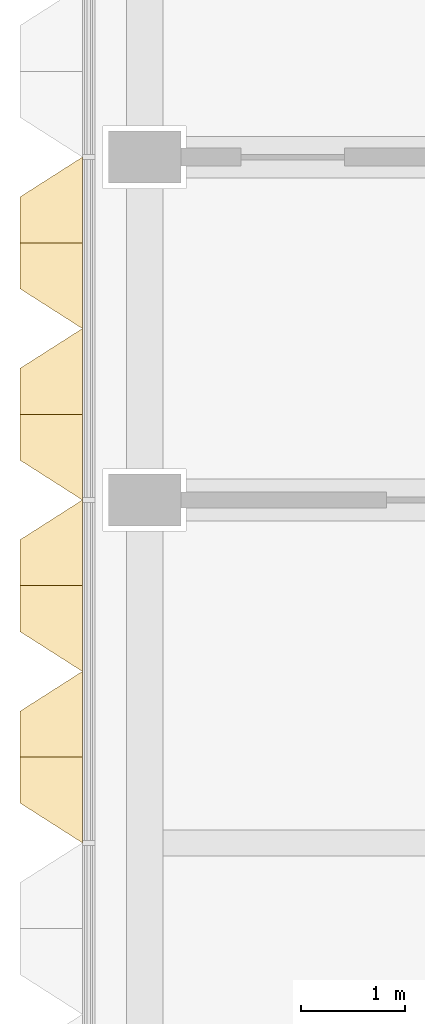
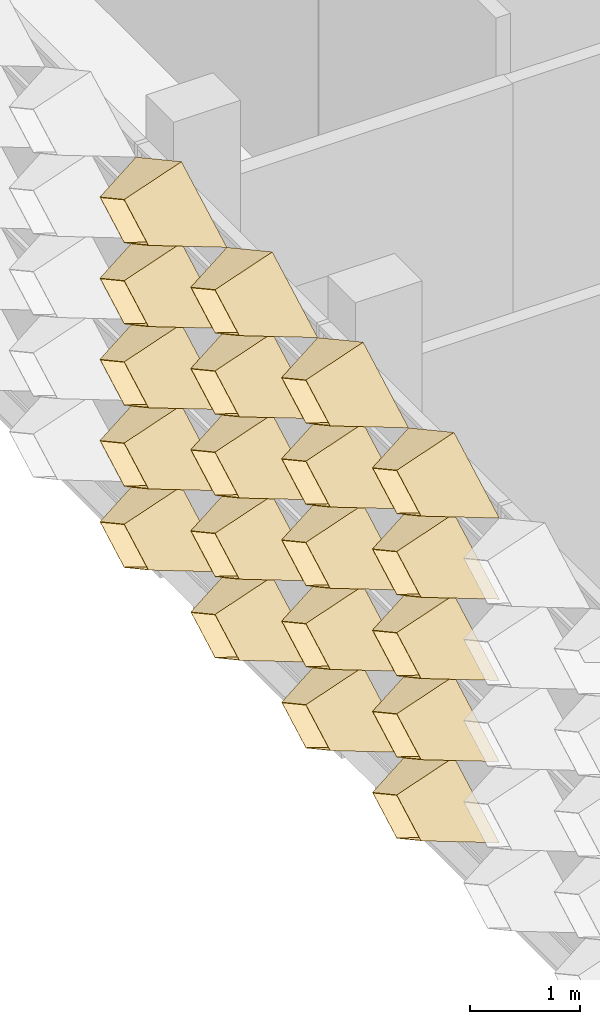
# One storey, part 20 of 29: 20 coverings.
"""IFC4 building model written with IfcOpenShell, lengths in metres."""

from ifc_helpers import new_model, entity, si_unit, direction, frame, origin, place, context, subcontext, project, spatial, material, layer, layer_set, type_object, element, save


model = new_model("IFC4")

# Units and contexts
model_context = context("Model", 3, precision=1e-05, world=origin(), true_north=direction((0.0, 1.0)))
body_context = subcontext(model_context, "Body", "Model", "MODEL_VIEW")
ifc_project = project(units=[si_unit("LENGTHUNIT", "METRE"), si_unit("AREAUNIT", "SQUARE_METRE"), si_unit("VOLUMEUNIT", "CUBIC_METRE"), si_unit("PLANEANGLEUNIT", "RADIAN"), si_unit("MASSUNIT", "GRAM", prefix="KILO")], contexts=[model_context])

# Site, building, storey
site_placement = place(None, origin())
site = spatial("IfcSite", under=ifc_project, at=site_placement, CompositionType="ELEMENT")
building_placement = place(site_placement, origin())
building = spatial("IfcBuilding", under=site, at=building_placement, Name="Lantern Court Research Institute", CompositionType="ELEMENT")
storey_placement = place(building_placement, frame((0.0, 0.0, 32.39990234375)))
storey = spatial("IfcBuildingStorey", under=building, at=storey_placement, Name="L07", CompositionType="ELEMENT", Elevation=32.39990234375)

# Coverings
ifc_material = material(Name="Anodised aluminium", Category="aluminium")
ifc_layer = layer(ifc_material, 0.01611328125)
ifc_layer_set = layer_set([ifc_layer], Name="Anodised aluminium")
covering_type = type_object("IfcCoveringType", Name="Fin cassette 1650 x 900 x 600 aluminium", PredefinedType="CLADDING", material=ifc_layer_set)
covering_1_placement = place(storey_placement, frame((52.199951171875, 7.425048828125, 0.4501953125), z_axis=(-1.0, 0.0, 0.0), x_axis=(0.0, -1.0, 0.0)))
cartesian_point_1 = entity("IfcCartesianPoint", [0.824951171875, 0.0])
cartesian_point_2 = entity("IfcCartesianPoint", [0.79150390625, 0.0])
cartesian_point_3 = entity("IfcCartesianPoint", [0.44189453125, 0.0])
cartesian_point_4 = entity("IfcCartesianPoint", [0.43359375, 0.0])
element("IfcCovering", 1, at=covering_1_placement, inside=storey, type_object=covering_type, Name="Fin cassette V5W-L07 1.5", PredefinedType="CLADDING", context=body_context, shape_type="SweptSolid", body=[
    entity("IfcExtrudedAreaSolidTapered", entity("IfcArbitraryProfileDefWithVoids", "AREA", None, entity("IfcPolyline", [cartesian_point_1, entity("IfcCartesianPoint", [0.0, 0.449951171875]), entity("IfcCartesianPoint", [-0.824951171875, 0.0]), entity("IfcCartesianPoint", [0.0, -0.449951171875]), cartesian_point_1]), [entity("IfcPolyline", [cartesian_point_2, entity("IfcCartesianPoint", [0.0, 0.431884765625]), entity("IfcCartesianPoint", [-0.79150390625, 0.0]), entity("IfcCartesianPoint", [0.0, -0.431884765625]), cartesian_point_2])]), entity("IfcAxis2Placement3D", entity("IfcCartesianPoint", [0.0, 0.0, 0.0])), entity("IfcDirection", [0.0, 0.0, 1.0]), 0.60009765625, entity("IfcArbitraryProfileDefWithVoids", "AREA", None, entity("IfcPolyline", [cartesian_point_3, entity("IfcCartesianPoint", [0.0, 0.240966796875]), entity("IfcCartesianPoint", [-0.44189453125, 0.0]), entity("IfcCartesianPoint", [0.0, -0.240966796875]), cartesian_point_3]), [entity("IfcPolyline", [cartesian_point_4, entity("IfcCartesianPoint", [0.0, 0.236572265625]), entity("IfcCartesianPoint", [-0.43359375, 0.0]), entity("IfcCartesianPoint", [0.0, -0.236572265625]), cartesian_point_4])])),
])
covering_2_placement = place(storey_placement, frame((52.199951171875, 9.074951171875, 0.4501953125), z_axis=(-1.0, 0.0, 0.0), x_axis=(0.0, -1.0, 0.0)))
cartesian_point_5 = entity("IfcCartesianPoint", [0.824951171875, 0.0])
cartesian_point_6 = entity("IfcCartesianPoint", [0.79150390625, 0.0])
cartesian_point_7 = entity("IfcCartesianPoint", [0.44189453125, 0.0])
cartesian_point_8 = entity("IfcCartesianPoint", [0.43359375, 0.0])
element("IfcCovering", 2, at=covering_2_placement, inside=storey, type_object=covering_type, Name="Fin cassette V5W-L07 1.6", PredefinedType="CLADDING", context=body_context, shape_type="SweptSolid", body=[
    entity("IfcExtrudedAreaSolidTapered", entity("IfcArbitraryProfileDefWithVoids", "AREA", None, entity("IfcPolyline", [cartesian_point_5, entity("IfcCartesianPoint", [0.0, 0.449951171875]), entity("IfcCartesianPoint", [-0.824951171875, 0.0]), entity("IfcCartesianPoint", [0.0, -0.449951171875]), cartesian_point_5]), [entity("IfcPolyline", [cartesian_point_6, entity("IfcCartesianPoint", [0.0, 0.431884765625]), entity("IfcCartesianPoint", [-0.79150390625, 0.0]), entity("IfcCartesianPoint", [0.0, -0.431884765625]), cartesian_point_6])]), entity("IfcAxis2Placement3D", entity("IfcCartesianPoint", [0.0, 0.0, 0.0])), entity("IfcDirection", [0.0, 0.0, 1.0]), 0.60009765625, entity("IfcArbitraryProfileDefWithVoids", "AREA", None, entity("IfcPolyline", [cartesian_point_7, entity("IfcCartesianPoint", [0.0, 0.240966796875]), entity("IfcCartesianPoint", [-0.44189453125, 0.0]), entity("IfcCartesianPoint", [0.0, -0.240966796875]), cartesian_point_7]), [entity("IfcPolyline", [cartesian_point_8, entity("IfcCartesianPoint", [0.0, 0.236572265625]), entity("IfcCartesianPoint", [-0.43359375, 0.0]), entity("IfcCartesianPoint", [0.0, -0.236572265625]), cartesian_point_8])])),
])
covering_3_placement = place(storey_placement, frame((52.199951171875, 10.72509765625, 0.4501953125), z_axis=(-1.0, 0.0, 0.0), x_axis=(0.0, -1.0, 0.0)))
cartesian_point_9 = entity("IfcCartesianPoint", [0.824951171875, 0.0])
cartesian_point_10 = entity("IfcCartesianPoint", [0.79150390625, 0.0])
cartesian_point_11 = entity("IfcCartesianPoint", [0.44189453125, 0.0])
cartesian_point_12 = entity("IfcCartesianPoint", [0.43359375, 0.0])
element("IfcCovering", 3, at=covering_3_placement, inside=storey, type_object=covering_type, Name="Fin cassette V5W-L07 1.7", PredefinedType="CLADDING", context=body_context, shape_type="SweptSolid", body=[
    entity("IfcExtrudedAreaSolidTapered", entity("IfcArbitraryProfileDefWithVoids", "AREA", None, entity("IfcPolyline", [cartesian_point_9, entity("IfcCartesianPoint", [0.0, 0.449951171875]), entity("IfcCartesianPoint", [-0.824951171875, 0.0]), entity("IfcCartesianPoint", [0.0, -0.449951171875]), cartesian_point_9]), [entity("IfcPolyline", [cartesian_point_10, entity("IfcCartesianPoint", [0.0, 0.431884765625]), entity("IfcCartesianPoint", [-0.79150390625, 0.0]), entity("IfcCartesianPoint", [0.0, -0.431884765625]), cartesian_point_10])]), entity("IfcAxis2Placement3D", entity("IfcCartesianPoint", [0.0, 0.0, 0.0])), entity("IfcDirection", [0.0, 0.0, 1.0]), 0.60009765625, entity("IfcArbitraryProfileDefWithVoids", "AREA", None, entity("IfcPolyline", [cartesian_point_11, entity("IfcCartesianPoint", [0.0, 0.240966796875]), entity("IfcCartesianPoint", [-0.44189453125, 0.0]), entity("IfcCartesianPoint", [0.0, -0.240966796875]), cartesian_point_11]), [entity("IfcPolyline", [cartesian_point_12, entity("IfcCartesianPoint", [0.0, 0.236572265625]), entity("IfcCartesianPoint", [-0.43359375, 0.0]), entity("IfcCartesianPoint", [0.0, -0.236572265625]), cartesian_point_12])])),
])
covering_4_placement = place(storey_placement, frame((52.199951171875, 12.375, 0.4501953125), z_axis=(-1.0, 0.0, 0.0), x_axis=(0.0, -1.0, 0.0)))
cartesian_point_13 = entity("IfcCartesianPoint", [0.824951171875, 0.0])
cartesian_point_14 = entity("IfcCartesianPoint", [0.79150390625, 0.0])
cartesian_point_15 = entity("IfcCartesianPoint", [0.44189453125, 0.0])
cartesian_point_16 = entity("IfcCartesianPoint", [0.43359375, 0.0])
element("IfcCovering", 4, at=covering_4_placement, inside=storey, type_object=covering_type, Name="Fin cassette V5W-L07 1.8", PredefinedType="CLADDING", context=body_context, shape_type="SweptSolid", body=[
    entity("IfcExtrudedAreaSolidTapered", entity("IfcArbitraryProfileDefWithVoids", "AREA", None, entity("IfcPolyline", [cartesian_point_13, entity("IfcCartesianPoint", [0.0, 0.449951171875]), entity("IfcCartesianPoint", [-0.824951171875, 0.0]), entity("IfcCartesianPoint", [0.0, -0.449951171875]), cartesian_point_13]), [entity("IfcPolyline", [cartesian_point_14, entity("IfcCartesianPoint", [0.0, 0.431884765625]), entity("IfcCartesianPoint", [-0.79150390625, 0.0]), entity("IfcCartesianPoint", [0.0, -0.431884765625]), cartesian_point_14])]), entity("IfcAxis2Placement3D", entity("IfcCartesianPoint", [0.0, 0.0, 0.0])), entity("IfcDirection", [0.0, 0.0, 1.0]), 0.60009765625, entity("IfcArbitraryProfileDefWithVoids", "AREA", None, entity("IfcPolyline", [cartesian_point_15, entity("IfcCartesianPoint", [0.0, 0.240966796875]), entity("IfcCartesianPoint", [-0.44189453125, 0.0]), entity("IfcCartesianPoint", [0.0, -0.240966796875]), cartesian_point_15]), [entity("IfcPolyline", [cartesian_point_16, entity("IfcCartesianPoint", [0.0, 0.236572265625]), entity("IfcCartesianPoint", [-0.43359375, 0.0]), entity("IfcCartesianPoint", [0.0, -0.236572265625]), cartesian_point_16])])),
])
covering_5_placement = place(storey_placement, frame((52.199951171875, 7.425048828125, 1.35009765625), z_axis=(-1.0, 0.0, 0.0), x_axis=(0.0, -1.0, 0.0)))
cartesian_point_17 = entity("IfcCartesianPoint", [0.824951171875, 0.0])
cartesian_point_18 = entity("IfcCartesianPoint", [0.79150390625, 0.0])
cartesian_point_19 = entity("IfcCartesianPoint", [0.44189453125, 0.0])
cartesian_point_20 = entity("IfcCartesianPoint", [0.43359375, 0.0])
element("IfcCovering", 5, at=covering_5_placement, inside=storey, type_object=covering_type, Name="Fin cassette V5W-L07 2.5", PredefinedType="CLADDING", context=body_context, shape_type="SweptSolid", body=[
    entity("IfcExtrudedAreaSolidTapered", entity("IfcArbitraryProfileDefWithVoids", "AREA", None, entity("IfcPolyline", [cartesian_point_17, entity("IfcCartesianPoint", [0.0, 0.449951171875]), entity("IfcCartesianPoint", [-0.824951171875, 0.0]), entity("IfcCartesianPoint", [0.0, -0.449951171875]), cartesian_point_17]), [entity("IfcPolyline", [cartesian_point_18, entity("IfcCartesianPoint", [0.0, 0.431884765625]), entity("IfcCartesianPoint", [-0.79150390625, 0.0]), entity("IfcCartesianPoint", [0.0, -0.431884765625]), cartesian_point_18])]), entity("IfcAxis2Placement3D", entity("IfcCartesianPoint", [0.0, 0.0, 0.0])), entity("IfcDirection", [0.0, 0.0, 1.0]), 0.60009765625, entity("IfcArbitraryProfileDefWithVoids", "AREA", None, entity("IfcPolyline", [cartesian_point_19, entity("IfcCartesianPoint", [0.0, 0.240966796875]), entity("IfcCartesianPoint", [-0.44189453125, 0.0]), entity("IfcCartesianPoint", [0.0, -0.240966796875]), cartesian_point_19]), [entity("IfcPolyline", [cartesian_point_20, entity("IfcCartesianPoint", [0.0, 0.236572265625]), entity("IfcCartesianPoint", [-0.43359375, 0.0]), entity("IfcCartesianPoint", [0.0, -0.236572265625]), cartesian_point_20])])),
])
covering_6_placement = place(storey_placement, frame((52.199951171875, 9.074951171875, 1.35009765625), z_axis=(-1.0, 0.0, 0.0), x_axis=(0.0, -1.0, 0.0)))
cartesian_point_21 = entity("IfcCartesianPoint", [0.824951171875, 0.0])
cartesian_point_22 = entity("IfcCartesianPoint", [0.79150390625, 0.0])
cartesian_point_23 = entity("IfcCartesianPoint", [0.44189453125, 0.0])
cartesian_point_24 = entity("IfcCartesianPoint", [0.43359375, 0.0])
element("IfcCovering", 6, at=covering_6_placement, inside=storey, type_object=covering_type, Name="Fin cassette V5W-L07 2.6", PredefinedType="CLADDING", context=body_context, shape_type="SweptSolid", body=[
    entity("IfcExtrudedAreaSolidTapered", entity("IfcArbitraryProfileDefWithVoids", "AREA", None, entity("IfcPolyline", [cartesian_point_21, entity("IfcCartesianPoint", [0.0, 0.449951171875]), entity("IfcCartesianPoint", [-0.824951171875, 0.0]), entity("IfcCartesianPoint", [0.0, -0.449951171875]), cartesian_point_21]), [entity("IfcPolyline", [cartesian_point_22, entity("IfcCartesianPoint", [0.0, 0.431884765625]), entity("IfcCartesianPoint", [-0.79150390625, 0.0]), entity("IfcCartesianPoint", [0.0, -0.431884765625]), cartesian_point_22])]), entity("IfcAxis2Placement3D", entity("IfcCartesianPoint", [0.0, 0.0, 0.0])), entity("IfcDirection", [0.0, 0.0, 1.0]), 0.60009765625, entity("IfcArbitraryProfileDefWithVoids", "AREA", None, entity("IfcPolyline", [cartesian_point_23, entity("IfcCartesianPoint", [0.0, 0.240966796875]), entity("IfcCartesianPoint", [-0.44189453125, 0.0]), entity("IfcCartesianPoint", [0.0, -0.240966796875]), cartesian_point_23]), [entity("IfcPolyline", [cartesian_point_24, entity("IfcCartesianPoint", [0.0, 0.236572265625]), entity("IfcCartesianPoint", [-0.43359375, 0.0]), entity("IfcCartesianPoint", [0.0, -0.236572265625]), cartesian_point_24])])),
])
covering_7_placement = place(storey_placement, frame((52.199951171875, 10.72509765625, 1.35009765625), z_axis=(-1.0, 0.0, 0.0), x_axis=(0.0, -1.0, 0.0)))
cartesian_point_25 = entity("IfcCartesianPoint", [0.824951171875, 0.0])
cartesian_point_26 = entity("IfcCartesianPoint", [0.79150390625, 0.0])
cartesian_point_27 = entity("IfcCartesianPoint", [0.44189453125, 0.0])
cartesian_point_28 = entity("IfcCartesianPoint", [0.43359375, 0.0])
element("IfcCovering", 7, at=covering_7_placement, inside=storey, type_object=covering_type, Name="Fin cassette V5W-L07 2.7", PredefinedType="CLADDING", context=body_context, shape_type="SweptSolid", body=[
    entity("IfcExtrudedAreaSolidTapered", entity("IfcArbitraryProfileDefWithVoids", "AREA", None, entity("IfcPolyline", [cartesian_point_25, entity("IfcCartesianPoint", [0.0, 0.449951171875]), entity("IfcCartesianPoint", [-0.824951171875, 0.0]), entity("IfcCartesianPoint", [0.0, -0.449951171875]), cartesian_point_25]), [entity("IfcPolyline", [cartesian_point_26, entity("IfcCartesianPoint", [0.0, 0.431884765625]), entity("IfcCartesianPoint", [-0.79150390625, 0.0]), entity("IfcCartesianPoint", [0.0, -0.431884765625]), cartesian_point_26])]), entity("IfcAxis2Placement3D", entity("IfcCartesianPoint", [0.0, 0.0, 0.0])), entity("IfcDirection", [0.0, 0.0, 1.0]), 0.60009765625, entity("IfcArbitraryProfileDefWithVoids", "AREA", None, entity("IfcPolyline", [cartesian_point_27, entity("IfcCartesianPoint", [0.0, 0.240966796875]), entity("IfcCartesianPoint", [-0.44189453125, 0.0]), entity("IfcCartesianPoint", [0.0, -0.240966796875]), cartesian_point_27]), [entity("IfcPolyline", [cartesian_point_28, entity("IfcCartesianPoint", [0.0, 0.236572265625]), entity("IfcCartesianPoint", [-0.43359375, 0.0]), entity("IfcCartesianPoint", [0.0, -0.236572265625]), cartesian_point_28])])),
])
covering_8_placement = place(storey_placement, frame((52.199951171875, 12.375, 1.35009765625), z_axis=(-1.0, 0.0, 0.0), x_axis=(0.0, -1.0, 0.0)))
cartesian_point_29 = entity("IfcCartesianPoint", [0.824951171875, 0.0])
cartesian_point_30 = entity("IfcCartesianPoint", [0.79150390625, 0.0])
cartesian_point_31 = entity("IfcCartesianPoint", [0.44189453125, 0.0])
cartesian_point_32 = entity("IfcCartesianPoint", [0.43359375, 0.0])
element("IfcCovering", 8, at=covering_8_placement, inside=storey, type_object=covering_type, Name="Fin cassette V5W-L07 2.8", PredefinedType="CLADDING", context=body_context, shape_type="SweptSolid", body=[
    entity("IfcExtrudedAreaSolidTapered", entity("IfcArbitraryProfileDefWithVoids", "AREA", None, entity("IfcPolyline", [cartesian_point_29, entity("IfcCartesianPoint", [0.0, 0.449951171875]), entity("IfcCartesianPoint", [-0.824951171875, 0.0]), entity("IfcCartesianPoint", [0.0, -0.449951171875]), cartesian_point_29]), [entity("IfcPolyline", [cartesian_point_30, entity("IfcCartesianPoint", [0.0, 0.431884765625]), entity("IfcCartesianPoint", [-0.79150390625, 0.0]), entity("IfcCartesianPoint", [0.0, -0.431884765625]), cartesian_point_30])]), entity("IfcAxis2Placement3D", entity("IfcCartesianPoint", [0.0, 0.0, 0.0])), entity("IfcDirection", [0.0, 0.0, 1.0]), 0.60009765625, entity("IfcArbitraryProfileDefWithVoids", "AREA", None, entity("IfcPolyline", [cartesian_point_31, entity("IfcCartesianPoint", [0.0, 0.240966796875]), entity("IfcCartesianPoint", [-0.44189453125, 0.0]), entity("IfcCartesianPoint", [0.0, -0.240966796875]), cartesian_point_31]), [entity("IfcPolyline", [cartesian_point_32, entity("IfcCartesianPoint", [0.0, 0.236572265625]), entity("IfcCartesianPoint", [-0.43359375, 0.0]), entity("IfcCartesianPoint", [0.0, -0.236572265625]), cartesian_point_32])])),
])
covering_9_placement = place(storey_placement, frame((52.199951171875, 7.425048828125, 2.25), z_axis=(-1.0, 0.0, 0.0), x_axis=(0.0, -1.0, 0.0)))
cartesian_point_33 = entity("IfcCartesianPoint", [0.824951171875, 0.0])
cartesian_point_34 = entity("IfcCartesianPoint", [0.79150390625, 0.0])
cartesian_point_35 = entity("IfcCartesianPoint", [0.44189453125, 0.0])
cartesian_point_36 = entity("IfcCartesianPoint", [0.43359375, 0.0])
element("IfcCovering", 9, at=covering_9_placement, inside=storey, type_object=covering_type, Name="Fin cassette V5W-L07 3.5", PredefinedType="CLADDING", context=body_context, shape_type="SweptSolid", body=[
    entity("IfcExtrudedAreaSolidTapered", entity("IfcArbitraryProfileDefWithVoids", "AREA", None, entity("IfcPolyline", [cartesian_point_33, entity("IfcCartesianPoint", [0.0, 0.449951171875]), entity("IfcCartesianPoint", [-0.824951171875, 0.0]), entity("IfcCartesianPoint", [0.0, -0.449951171875]), cartesian_point_33]), [entity("IfcPolyline", [cartesian_point_34, entity("IfcCartesianPoint", [0.0, 0.431884765625]), entity("IfcCartesianPoint", [-0.79150390625, 0.0]), entity("IfcCartesianPoint", [0.0, -0.431884765625]), cartesian_point_34])]), entity("IfcAxis2Placement3D", entity("IfcCartesianPoint", [0.0, 0.0, 0.0])), entity("IfcDirection", [0.0, 0.0, 1.0]), 0.60009765625, entity("IfcArbitraryProfileDefWithVoids", "AREA", None, entity("IfcPolyline", [cartesian_point_35, entity("IfcCartesianPoint", [0.0, 0.240966796875]), entity("IfcCartesianPoint", [-0.44189453125, 0.0]), entity("IfcCartesianPoint", [0.0, -0.240966796875]), cartesian_point_35]), [entity("IfcPolyline", [cartesian_point_36, entity("IfcCartesianPoint", [0.0, 0.236572265625]), entity("IfcCartesianPoint", [-0.43359375, 0.0]), entity("IfcCartesianPoint", [0.0, -0.236572265625]), cartesian_point_36])])),
])
covering_10_placement = place(storey_placement, frame((52.199951171875, 9.074951171875, 2.25), z_axis=(-1.0, 0.0, 0.0), x_axis=(0.0, -1.0, 0.0)))
cartesian_point_37 = entity("IfcCartesianPoint", [0.824951171875, 0.0])
cartesian_point_38 = entity("IfcCartesianPoint", [0.79150390625, 0.0])
cartesian_point_39 = entity("IfcCartesianPoint", [0.44189453125, 0.0])
cartesian_point_40 = entity("IfcCartesianPoint", [0.43359375, 0.0])
element("IfcCovering", 10, at=covering_10_placement, inside=storey, type_object=covering_type, Name="Fin cassette V5W-L07 3.6", PredefinedType="CLADDING", context=body_context, shape_type="SweptSolid", body=[
    entity("IfcExtrudedAreaSolidTapered", entity("IfcArbitraryProfileDefWithVoids", "AREA", None, entity("IfcPolyline", [cartesian_point_37, entity("IfcCartesianPoint", [0.0, 0.449951171875]), entity("IfcCartesianPoint", [-0.824951171875, 0.0]), entity("IfcCartesianPoint", [0.0, -0.449951171875]), cartesian_point_37]), [entity("IfcPolyline", [cartesian_point_38, entity("IfcCartesianPoint", [0.0, 0.431884765625]), entity("IfcCartesianPoint", [-0.79150390625, 0.0]), entity("IfcCartesianPoint", [0.0, -0.431884765625]), cartesian_point_38])]), entity("IfcAxis2Placement3D", entity("IfcCartesianPoint", [0.0, 0.0, 0.0])), entity("IfcDirection", [0.0, 0.0, 1.0]), 0.60009765625, entity("IfcArbitraryProfileDefWithVoids", "AREA", None, entity("IfcPolyline", [cartesian_point_39, entity("IfcCartesianPoint", [0.0, 0.240966796875]), entity("IfcCartesianPoint", [-0.44189453125, 0.0]), entity("IfcCartesianPoint", [0.0, -0.240966796875]), cartesian_point_39]), [entity("IfcPolyline", [cartesian_point_40, entity("IfcCartesianPoint", [0.0, 0.236572265625]), entity("IfcCartesianPoint", [-0.43359375, 0.0]), entity("IfcCartesianPoint", [0.0, -0.236572265625]), cartesian_point_40])])),
])
covering_11_placement = place(storey_placement, frame((52.199951171875, 10.72509765625, 2.25), z_axis=(-1.0, 0.0, 0.0), x_axis=(0.0, -1.0, 0.0)))
cartesian_point_41 = entity("IfcCartesianPoint", [0.824951171875, 0.0])
cartesian_point_42 = entity("IfcCartesianPoint", [0.79150390625, 0.0])
cartesian_point_43 = entity("IfcCartesianPoint", [0.44189453125, 0.0])
cartesian_point_44 = entity("IfcCartesianPoint", [0.43359375, 0.0])
element("IfcCovering", 11, at=covering_11_placement, inside=storey, type_object=covering_type, Name="Fin cassette V5W-L07 3.7", PredefinedType="CLADDING", context=body_context, shape_type="SweptSolid", body=[
    entity("IfcExtrudedAreaSolidTapered", entity("IfcArbitraryProfileDefWithVoids", "AREA", None, entity("IfcPolyline", [cartesian_point_41, entity("IfcCartesianPoint", [0.0, 0.449951171875]), entity("IfcCartesianPoint", [-0.824951171875, 0.0]), entity("IfcCartesianPoint", [0.0, -0.449951171875]), cartesian_point_41]), [entity("IfcPolyline", [cartesian_point_42, entity("IfcCartesianPoint", [0.0, 0.431884765625]), entity("IfcCartesianPoint", [-0.79150390625, 0.0]), entity("IfcCartesianPoint", [0.0, -0.431884765625]), cartesian_point_42])]), entity("IfcAxis2Placement3D", entity("IfcCartesianPoint", [0.0, 0.0, 0.0])), entity("IfcDirection", [0.0, 0.0, 1.0]), 0.60009765625, entity("IfcArbitraryProfileDefWithVoids", "AREA", None, entity("IfcPolyline", [cartesian_point_43, entity("IfcCartesianPoint", [0.0, 0.240966796875]), entity("IfcCartesianPoint", [-0.44189453125, 0.0]), entity("IfcCartesianPoint", [0.0, -0.240966796875]), cartesian_point_43]), [entity("IfcPolyline", [cartesian_point_44, entity("IfcCartesianPoint", [0.0, 0.236572265625]), entity("IfcCartesianPoint", [-0.43359375, 0.0]), entity("IfcCartesianPoint", [0.0, -0.236572265625]), cartesian_point_44])])),
])
covering_12_placement = place(storey_placement, frame((52.199951171875, 12.375, 2.25), z_axis=(-1.0, 0.0, 0.0), x_axis=(0.0, -1.0, 0.0)))
cartesian_point_45 = entity("IfcCartesianPoint", [0.824951171875, 0.0])
cartesian_point_46 = entity("IfcCartesianPoint", [0.79150390625, 0.0])
cartesian_point_47 = entity("IfcCartesianPoint", [0.44189453125, 0.0])
cartesian_point_48 = entity("IfcCartesianPoint", [0.43359375, 0.0])
element("IfcCovering", 12, at=covering_12_placement, inside=storey, type_object=covering_type, Name="Fin cassette V5W-L07 3.8", PredefinedType="CLADDING", context=body_context, shape_type="SweptSolid", body=[
    entity("IfcExtrudedAreaSolidTapered", entity("IfcArbitraryProfileDefWithVoids", "AREA", None, entity("IfcPolyline", [cartesian_point_45, entity("IfcCartesianPoint", [0.0, 0.449951171875]), entity("IfcCartesianPoint", [-0.824951171875, 0.0]), entity("IfcCartesianPoint", [0.0, -0.449951171875]), cartesian_point_45]), [entity("IfcPolyline", [cartesian_point_46, entity("IfcCartesianPoint", [0.0, 0.431884765625]), entity("IfcCartesianPoint", [-0.79150390625, 0.0]), entity("IfcCartesianPoint", [0.0, -0.431884765625]), cartesian_point_46])]), entity("IfcAxis2Placement3D", entity("IfcCartesianPoint", [0.0, 0.0, 0.0])), entity("IfcDirection", [0.0, 0.0, 1.0]), 0.60009765625, entity("IfcArbitraryProfileDefWithVoids", "AREA", None, entity("IfcPolyline", [cartesian_point_47, entity("IfcCartesianPoint", [0.0, 0.240966796875]), entity("IfcCartesianPoint", [-0.44189453125, 0.0]), entity("IfcCartesianPoint", [0.0, -0.240966796875]), cartesian_point_47]), [entity("IfcPolyline", [cartesian_point_48, entity("IfcCartesianPoint", [0.0, 0.236572265625]), entity("IfcCartesianPoint", [-0.43359375, 0.0]), entity("IfcCartesianPoint", [0.0, -0.236572265625]), cartesian_point_48])])),
])
covering_13_placement = place(storey_placement, frame((52.199951171875, 7.425048828125, 3.150146484375), z_axis=(-1.0, 0.0, 0.0), x_axis=(0.0, -1.0, 0.0)))
cartesian_point_49 = entity("IfcCartesianPoint", [0.824951171875, 0.0])
cartesian_point_50 = entity("IfcCartesianPoint", [0.79150390625, 0.0])
cartesian_point_51 = entity("IfcCartesianPoint", [0.44189453125, 0.0])
cartesian_point_52 = entity("IfcCartesianPoint", [0.43359375, 0.0])
element("IfcCovering", 13, at=covering_13_placement, inside=storey, type_object=covering_type, Name="Fin cassette V5W-L07 4.5", PredefinedType="CLADDING", context=body_context, shape_type="SweptSolid", body=[
    entity("IfcExtrudedAreaSolidTapered", entity("IfcArbitraryProfileDefWithVoids", "AREA", None, entity("IfcPolyline", [cartesian_point_49, entity("IfcCartesianPoint", [0.0, 0.449951171875]), entity("IfcCartesianPoint", [-0.824951171875, 0.0]), entity("IfcCartesianPoint", [0.0, -0.449951171875]), cartesian_point_49]), [entity("IfcPolyline", [cartesian_point_50, entity("IfcCartesianPoint", [0.0, 0.431884765625]), entity("IfcCartesianPoint", [-0.79150390625, 0.0]), entity("IfcCartesianPoint", [0.0, -0.431884765625]), cartesian_point_50])]), entity("IfcAxis2Placement3D", entity("IfcCartesianPoint", [0.0, 0.0, 0.0])), entity("IfcDirection", [0.0, 0.0, 1.0]), 0.60009765625, entity("IfcArbitraryProfileDefWithVoids", "AREA", None, entity("IfcPolyline", [cartesian_point_51, entity("IfcCartesianPoint", [0.0, 0.240966796875]), entity("IfcCartesianPoint", [-0.44189453125, 0.0]), entity("IfcCartesianPoint", [0.0, -0.240966796875]), cartesian_point_51]), [entity("IfcPolyline", [cartesian_point_52, entity("IfcCartesianPoint", [0.0, 0.236572265625]), entity("IfcCartesianPoint", [-0.43359375, 0.0]), entity("IfcCartesianPoint", [0.0, -0.236572265625]), cartesian_point_52])])),
])
covering_14_placement = place(storey_placement, frame((52.199951171875, 9.074951171875, 3.150146484375), z_axis=(-1.0, 0.0, 0.0), x_axis=(0.0, -1.0, 0.0)))
cartesian_point_53 = entity("IfcCartesianPoint", [0.824951171875, 0.0])
cartesian_point_54 = entity("IfcCartesianPoint", [0.79150390625, 0.0])
cartesian_point_55 = entity("IfcCartesianPoint", [0.44189453125, 0.0])
cartesian_point_56 = entity("IfcCartesianPoint", [0.43359375, 0.0])
element("IfcCovering", 14, at=covering_14_placement, inside=storey, type_object=covering_type, Name="Fin cassette V5W-L07 4.6", PredefinedType="CLADDING", context=body_context, shape_type="SweptSolid", body=[
    entity("IfcExtrudedAreaSolidTapered", entity("IfcArbitraryProfileDefWithVoids", "AREA", None, entity("IfcPolyline", [cartesian_point_53, entity("IfcCartesianPoint", [0.0, 0.449951171875]), entity("IfcCartesianPoint", [-0.824951171875, 0.0]), entity("IfcCartesianPoint", [0.0, -0.449951171875]), cartesian_point_53]), [entity("IfcPolyline", [cartesian_point_54, entity("IfcCartesianPoint", [0.0, 0.431884765625]), entity("IfcCartesianPoint", [-0.79150390625, 0.0]), entity("IfcCartesianPoint", [0.0, -0.431884765625]), cartesian_point_54])]), entity("IfcAxis2Placement3D", entity("IfcCartesianPoint", [0.0, 0.0, 0.0])), entity("IfcDirection", [0.0, 0.0, 1.0]), 0.60009765625, entity("IfcArbitraryProfileDefWithVoids", "AREA", None, entity("IfcPolyline", [cartesian_point_55, entity("IfcCartesianPoint", [0.0, 0.240966796875]), entity("IfcCartesianPoint", [-0.44189453125, 0.0]), entity("IfcCartesianPoint", [0.0, -0.240966796875]), cartesian_point_55]), [entity("IfcPolyline", [cartesian_point_56, entity("IfcCartesianPoint", [0.0, 0.236572265625]), entity("IfcCartesianPoint", [-0.43359375, 0.0]), entity("IfcCartesianPoint", [0.0, -0.236572265625]), cartesian_point_56])])),
])
covering_15_placement = place(storey_placement, frame((52.199951171875, 10.72509765625, 3.150146484375), z_axis=(-1.0, 0.0, 0.0), x_axis=(0.0, -1.0, 0.0)))
cartesian_point_57 = entity("IfcCartesianPoint", [0.824951171875, 0.0])
cartesian_point_58 = entity("IfcCartesianPoint", [0.79150390625, 0.0])
cartesian_point_59 = entity("IfcCartesianPoint", [0.44189453125, 0.0])
cartesian_point_60 = entity("IfcCartesianPoint", [0.43359375, 0.0])
element("IfcCovering", 15, at=covering_15_placement, inside=storey, type_object=covering_type, Name="Fin cassette V5W-L07 4.7", PredefinedType="CLADDING", context=body_context, shape_type="SweptSolid", body=[
    entity("IfcExtrudedAreaSolidTapered", entity("IfcArbitraryProfileDefWithVoids", "AREA", None, entity("IfcPolyline", [cartesian_point_57, entity("IfcCartesianPoint", [0.0, 0.449951171875]), entity("IfcCartesianPoint", [-0.824951171875, 0.0]), entity("IfcCartesianPoint", [0.0, -0.449951171875]), cartesian_point_57]), [entity("IfcPolyline", [cartesian_point_58, entity("IfcCartesianPoint", [0.0, 0.431884765625]), entity("IfcCartesianPoint", [-0.79150390625, 0.0]), entity("IfcCartesianPoint", [0.0, -0.431884765625]), cartesian_point_58])]), entity("IfcAxis2Placement3D", entity("IfcCartesianPoint", [0.0, 0.0, 0.0])), entity("IfcDirection", [0.0, 0.0, 1.0]), 0.60009765625, entity("IfcArbitraryProfileDefWithVoids", "AREA", None, entity("IfcPolyline", [cartesian_point_59, entity("IfcCartesianPoint", [0.0, 0.240966796875]), entity("IfcCartesianPoint", [-0.44189453125, 0.0]), entity("IfcCartesianPoint", [0.0, -0.240966796875]), cartesian_point_59]), [entity("IfcPolyline", [cartesian_point_60, entity("IfcCartesianPoint", [0.0, 0.236572265625]), entity("IfcCartesianPoint", [-0.43359375, 0.0]), entity("IfcCartesianPoint", [0.0, -0.236572265625]), cartesian_point_60])])),
])
covering_16_placement = place(storey_placement, frame((52.199951171875, 12.375, 3.150146484375), z_axis=(-1.0, 0.0, 0.0), x_axis=(0.0, -1.0, 0.0)))
cartesian_point_61 = entity("IfcCartesianPoint", [0.824951171875, 0.0])
cartesian_point_62 = entity("IfcCartesianPoint", [0.79150390625, 0.0])
cartesian_point_63 = entity("IfcCartesianPoint", [0.44189453125, 0.0])
cartesian_point_64 = entity("IfcCartesianPoint", [0.43359375, 0.0])
element("IfcCovering", 16, at=covering_16_placement, inside=storey, type_object=covering_type, Name="Fin cassette V5W-L07 4.8", PredefinedType="CLADDING", context=body_context, shape_type="SweptSolid", body=[
    entity("IfcExtrudedAreaSolidTapered", entity("IfcArbitraryProfileDefWithVoids", "AREA", None, entity("IfcPolyline", [cartesian_point_61, entity("IfcCartesianPoint", [0.0, 0.449951171875]), entity("IfcCartesianPoint", [-0.824951171875, 0.0]), entity("IfcCartesianPoint", [0.0, -0.449951171875]), cartesian_point_61]), [entity("IfcPolyline", [cartesian_point_62, entity("IfcCartesianPoint", [0.0, 0.431884765625]), entity("IfcCartesianPoint", [-0.79150390625, 0.0]), entity("IfcCartesianPoint", [0.0, -0.431884765625]), cartesian_point_62])]), entity("IfcAxis2Placement3D", entity("IfcCartesianPoint", [0.0, 0.0, 0.0])), entity("IfcDirection", [0.0, 0.0, 1.0]), 0.60009765625, entity("IfcArbitraryProfileDefWithVoids", "AREA", None, entity("IfcPolyline", [cartesian_point_63, entity("IfcCartesianPoint", [0.0, 0.240966796875]), entity("IfcCartesianPoint", [-0.44189453125, 0.0]), entity("IfcCartesianPoint", [0.0, -0.240966796875]), cartesian_point_63]), [entity("IfcPolyline", [cartesian_point_64, entity("IfcCartesianPoint", [0.0, 0.236572265625]), entity("IfcCartesianPoint", [-0.43359375, 0.0]), entity("IfcCartesianPoint", [0.0, -0.236572265625]), cartesian_point_64])])),
])
covering_17_placement = place(storey_placement, frame((52.199951171875, 7.425048828125, 4.050048828125), z_axis=(-1.0, 0.0, 0.0), x_axis=(0.0, -1.0, 0.0)))
cartesian_point_65 = entity("IfcCartesianPoint", [0.824951171875, 0.0])
cartesian_point_66 = entity("IfcCartesianPoint", [0.79150390625, 0.0])
cartesian_point_67 = entity("IfcCartesianPoint", [0.44189453125, 0.0])
cartesian_point_68 = entity("IfcCartesianPoint", [0.43359375, 0.0])
element("IfcCovering", 17, at=covering_17_placement, inside=storey, type_object=covering_type, Name="Fin cassette V5W-L07 5.5", PredefinedType="CLADDING", context=body_context, shape_type="SweptSolid", body=[
    entity("IfcExtrudedAreaSolidTapered", entity("IfcArbitraryProfileDefWithVoids", "AREA", None, entity("IfcPolyline", [cartesian_point_65, entity("IfcCartesianPoint", [0.0, 0.449951171875]), entity("IfcCartesianPoint", [-0.824951171875, 0.0]), entity("IfcCartesianPoint", [0.0, -0.449951171875]), cartesian_point_65]), [entity("IfcPolyline", [cartesian_point_66, entity("IfcCartesianPoint", [0.0, 0.431884765625]), entity("IfcCartesianPoint", [-0.79150390625, 0.0]), entity("IfcCartesianPoint", [0.0, -0.431884765625]), cartesian_point_66])]), entity("IfcAxis2Placement3D", entity("IfcCartesianPoint", [0.0, 0.0, 0.0])), entity("IfcDirection", [0.0, 0.0, 1.0]), 0.60009765625, entity("IfcArbitraryProfileDefWithVoids", "AREA", None, entity("IfcPolyline", [cartesian_point_67, entity("IfcCartesianPoint", [0.0, 0.240966796875]), entity("IfcCartesianPoint", [-0.44189453125, 0.0]), entity("IfcCartesianPoint", [0.0, -0.240966796875]), cartesian_point_67]), [entity("IfcPolyline", [cartesian_point_68, entity("IfcCartesianPoint", [0.0, 0.236572265625]), entity("IfcCartesianPoint", [-0.43359375, 0.0]), entity("IfcCartesianPoint", [0.0, -0.236572265625]), cartesian_point_68])])),
])
covering_18_placement = place(storey_placement, frame((52.199951171875, 9.074951171875, 4.050048828125), z_axis=(-1.0, 0.0, 0.0), x_axis=(0.0, -1.0, 0.0)))
cartesian_point_69 = entity("IfcCartesianPoint", [0.824951171875, 0.0])
cartesian_point_70 = entity("IfcCartesianPoint", [0.79150390625, 0.0])
cartesian_point_71 = entity("IfcCartesianPoint", [0.44189453125, 0.0])
cartesian_point_72 = entity("IfcCartesianPoint", [0.43359375, 0.0])
element("IfcCovering", 18, at=covering_18_placement, inside=storey, type_object=covering_type, Name="Fin cassette V5W-L07 5.6", PredefinedType="CLADDING", context=body_context, shape_type="SweptSolid", body=[
    entity("IfcExtrudedAreaSolidTapered", entity("IfcArbitraryProfileDefWithVoids", "AREA", None, entity("IfcPolyline", [cartesian_point_69, entity("IfcCartesianPoint", [0.0, 0.449951171875]), entity("IfcCartesianPoint", [-0.824951171875, 0.0]), entity("IfcCartesianPoint", [0.0, -0.449951171875]), cartesian_point_69]), [entity("IfcPolyline", [cartesian_point_70, entity("IfcCartesianPoint", [0.0, 0.431884765625]), entity("IfcCartesianPoint", [-0.79150390625, 0.0]), entity("IfcCartesianPoint", [0.0, -0.431884765625]), cartesian_point_70])]), entity("IfcAxis2Placement3D", entity("IfcCartesianPoint", [0.0, 0.0, 0.0])), entity("IfcDirection", [0.0, 0.0, 1.0]), 0.60009765625, entity("IfcArbitraryProfileDefWithVoids", "AREA", None, entity("IfcPolyline", [cartesian_point_71, entity("IfcCartesianPoint", [0.0, 0.240966796875]), entity("IfcCartesianPoint", [-0.44189453125, 0.0]), entity("IfcCartesianPoint", [0.0, -0.240966796875]), cartesian_point_71]), [entity("IfcPolyline", [cartesian_point_72, entity("IfcCartesianPoint", [0.0, 0.236572265625]), entity("IfcCartesianPoint", [-0.43359375, 0.0]), entity("IfcCartesianPoint", [0.0, -0.236572265625]), cartesian_point_72])])),
])
covering_19_placement = place(storey_placement, frame((52.199951171875, 10.72509765625, 4.050048828125), z_axis=(-1.0, 0.0, 0.0), x_axis=(0.0, -1.0, 0.0)))
cartesian_point_73 = entity("IfcCartesianPoint", [0.824951171875, 0.0])
cartesian_point_74 = entity("IfcCartesianPoint", [0.79150390625, 0.0])
cartesian_point_75 = entity("IfcCartesianPoint", [0.44189453125, 0.0])
cartesian_point_76 = entity("IfcCartesianPoint", [0.43359375, 0.0])
element("IfcCovering", 19, at=covering_19_placement, inside=storey, type_object=covering_type, Name="Fin cassette V5W-L07 5.7", PredefinedType="CLADDING", context=body_context, shape_type="SweptSolid", body=[
    entity("IfcExtrudedAreaSolidTapered", entity("IfcArbitraryProfileDefWithVoids", "AREA", None, entity("IfcPolyline", [cartesian_point_73, entity("IfcCartesianPoint", [0.0, 0.449951171875]), entity("IfcCartesianPoint", [-0.824951171875, 0.0]), entity("IfcCartesianPoint", [0.0, -0.449951171875]), cartesian_point_73]), [entity("IfcPolyline", [cartesian_point_74, entity("IfcCartesianPoint", [0.0, 0.431884765625]), entity("IfcCartesianPoint", [-0.79150390625, 0.0]), entity("IfcCartesianPoint", [0.0, -0.431884765625]), cartesian_point_74])]), entity("IfcAxis2Placement3D", entity("IfcCartesianPoint", [0.0, 0.0, 0.0])), entity("IfcDirection", [0.0, 0.0, 1.0]), 0.60009765625, entity("IfcArbitraryProfileDefWithVoids", "AREA", None, entity("IfcPolyline", [cartesian_point_75, entity("IfcCartesianPoint", [0.0, 0.240966796875]), entity("IfcCartesianPoint", [-0.44189453125, 0.0]), entity("IfcCartesianPoint", [0.0, -0.240966796875]), cartesian_point_75]), [entity("IfcPolyline", [cartesian_point_76, entity("IfcCartesianPoint", [0.0, 0.236572265625]), entity("IfcCartesianPoint", [-0.43359375, 0.0]), entity("IfcCartesianPoint", [0.0, -0.236572265625]), cartesian_point_76])])),
])
covering_20_placement = place(storey_placement, frame((52.199951171875, 12.375, 4.050048828125), z_axis=(-1.0, 0.0, 0.0), x_axis=(0.0, -1.0, 0.0)))
cartesian_point_77 = entity("IfcCartesianPoint", [0.824951171875, 0.0])
cartesian_point_78 = entity("IfcCartesianPoint", [0.79150390625, 0.0])
cartesian_point_79 = entity("IfcCartesianPoint", [0.44189453125, 0.0])
cartesian_point_80 = entity("IfcCartesianPoint", [0.43359375, 0.0])
element("IfcCovering", 20, at=covering_20_placement, inside=storey, type_object=covering_type, Name="Fin cassette V5W-L07 5.8", PredefinedType="CLADDING", context=body_context, shape_type="SweptSolid", body=[
    entity("IfcExtrudedAreaSolidTapered", entity("IfcArbitraryProfileDefWithVoids", "AREA", None, entity("IfcPolyline", [cartesian_point_77, entity("IfcCartesianPoint", [0.0, 0.449951171875]), entity("IfcCartesianPoint", [-0.824951171875, 0.0]), entity("IfcCartesianPoint", [0.0, -0.449951171875]), cartesian_point_77]), [entity("IfcPolyline", [cartesian_point_78, entity("IfcCartesianPoint", [0.0, 0.431884765625]), entity("IfcCartesianPoint", [-0.79150390625, 0.0]), entity("IfcCartesianPoint", [0.0, -0.431884765625]), cartesian_point_78])]), entity("IfcAxis2Placement3D", entity("IfcCartesianPoint", [0.0, 0.0, 0.0])), entity("IfcDirection", [0.0, 0.0, 1.0]), 0.60009765625, entity("IfcArbitraryProfileDefWithVoids", "AREA", None, entity("IfcPolyline", [cartesian_point_79, entity("IfcCartesianPoint", [0.0, 0.240966796875]), entity("IfcCartesianPoint", [-0.44189453125, 0.0]), entity("IfcCartesianPoint", [0.0, -0.240966796875]), cartesian_point_79]), [entity("IfcPolyline", [cartesian_point_80, entity("IfcCartesianPoint", [0.0, 0.236572265625]), entity("IfcCartesianPoint", [-0.43359375, 0.0]), entity("IfcCartesianPoint", [0.0, -0.236572265625]), cartesian_point_80])])),
])

save(model, "model.ifc")
